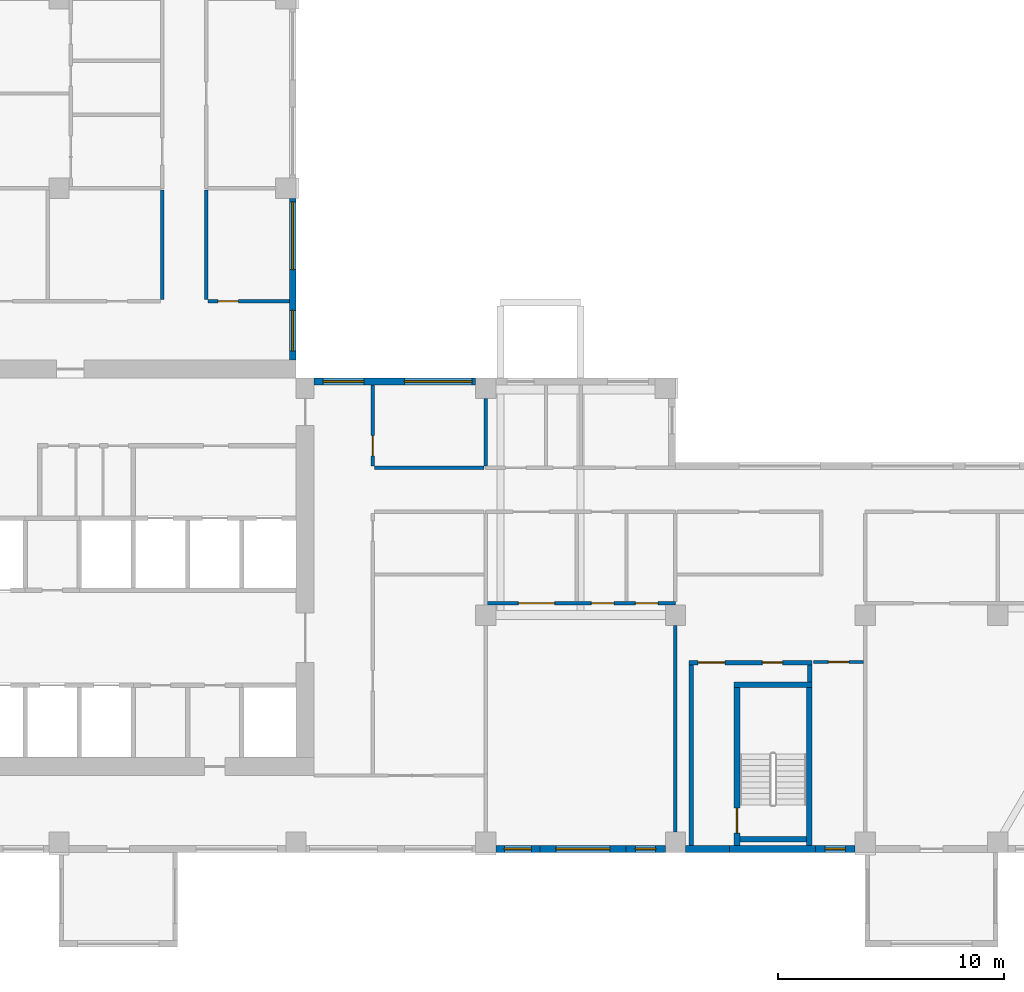
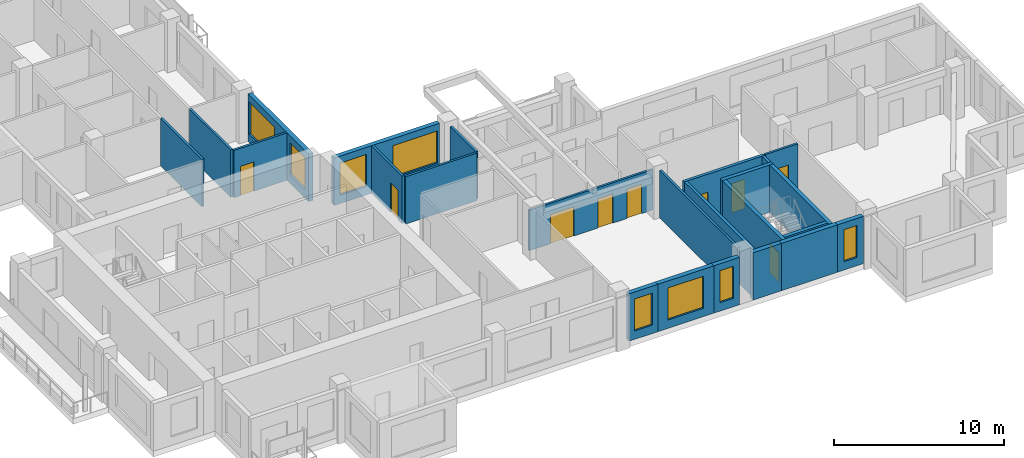
# One storey, part 4 of 12: 24 walls, 9 doors, 8 windows, 17 openings.
"""IFC4 building model written with IfcOpenShell, lengths in metres."""

from ifc_helpers import new_model, si_unit, direction, frame, frame_2d, origin, place, context, subcontext, project, spatial, rectangle, extrude, source, transform, mapped, material, layer, layer_set, type_object, element, fill, save


model = new_model("IFC4")

# Units and contexts
model_context = context("Model", 3, precision=1e-05, world=origin(), true_north=direction((0.0, 1.0)))
body_context = subcontext(model_context, "Body", "Model", "MODEL_VIEW")
ifc_project = project(units=[si_unit("LENGTHUNIT", "METRE"), si_unit("AREAUNIT", "SQUARE_METRE"), si_unit("VOLUMEUNIT", "CUBIC_METRE"), si_unit("PLANEANGLEUNIT", "RADIAN"), si_unit("MASSUNIT", "GRAM", prefix="KILO")], contexts=[model_context])

# Site, building, storey
site_placement = place(None, origin())
site = spatial("IfcSite", under=ifc_project, at=site_placement, CompositionType="ELEMENT")
building_placement = place(site_placement, origin())
building = spatial("IfcBuilding", under=site, at=building_placement, Name="Aurelian Terraces", CompositionType="ELEMENT")
storey_placement = place(building_placement, frame((0.0, 0.0, 200.6)))
storey = spatial("IfcBuildingStorey", under=building, at=storey_placement, Name="L44", CompositionType="ELEMENT", Elevation=200.6)

# Wall, openings, windows
ifc_material_1 = material(Name="Terracotta rainscreen cladding", Category="masonry")
ifc_layer_1 = layer(ifc_material_1, 0.3)
ifc_layer_set_1 = layer_set([ifc_layer_1], Name="EW-300")
wall_type_1 = type_object("IfcWallType", Name="EW-300", PredefinedType="STANDARD", material=ifc_layer_set_1)
shared_shape_1 = source(origin(), body_context, "Body", "SweptSolid", [
    extrude(rectangle(XDim=7.15, YDim=0.3, at=frame_2d((3.575, 0.0))), origin(), (0.0, 0.0, 1.0), 3.4),
])
wall_1_placement = place(storey_placement, frame((28.95, 20.85, 0.0), z_axis=(0.0, 0.0, 1.0), x_axis=(-1.0, 0.0, 0.0)))
wall_1 = element("IfcWall", 1, at=wall_1_placement, inside=storey, type_object=wall_type_1, Name="External wall L44 F07.18", PredefinedType="STANDARD", context=body_context, shape_type="MappedRepresentation", body=[
    mapped(shared_shape_1, transform((0.0, 0.0, 0.0), scale=1.0)),
])
shared_shape_2 = source(origin(), body_context, "Body", "SweptSolid", [
    extrude(rectangle(XDim=3.0, YDim=2.3, at=frame_2d((1.5, 1.15))), frame((0.0, 0.16, 0.0), z_axis=(0.0, -1.0, 0.0), x_axis=(1.0, 0.0, 0.0)), (0.0, 0.0, 1.0), 0.32),
])
opening_1_placement = place(wall_1_placement, frame((0.15, 0.0, 0.6)))
opening_1 = element("IfcOpeningElement", 2, at=opening_1_placement, cuts=wall_1, Name="Opening W3023", PredefinedType="OPENING", context=body_context, shape_type="MappedRepresentation", body=[
    mapped(shared_shape_2, transform((0.0, 0.0, 0.0), scale=1.0)),
])
shared_shape_3 = source(origin(), body_context, "Body", "SweptSolid", [
    extrude(rectangle(XDim=1.8, YDim=2.3, at=frame_2d((0.9, 1.15))), frame((0.0, 0.16, 0.0), z_axis=(0.0, -1.0, 0.0), x_axis=(1.0, 0.0, 0.0)), (0.0, 0.0, 1.0), 0.32),
])
opening_2_placement = place(wall_1_placement, frame((4.95, 0.0, 0.6)))
opening_2 = element("IfcOpeningElement", 3, at=opening_2_placement, cuts=wall_1, Name="Opening W1823", PredefinedType="OPENING", context=body_context, shape_type="MappedRepresentation", body=[
    mapped(shared_shape_3, transform((0.0, 0.0, 0.0), scale=1.0)),
])
ifc_material_2 = material(Name="Clear glazing", Category="glass")
window_type_1 = type_object("IfcWindowType", Name="W-3000x2300", PartitioningType="SINGLE_PANEL", PredefinedType="WINDOW", material=ifc_material_2)
shared_shape_4 = source(origin(), body_context, "Body", "SweptSolid", [
    extrude(rectangle(XDim=3.0, YDim=2.3, at=frame_2d((1.5, 1.15))), frame((0.0, 0.03, 0.0), z_axis=(0.0, -1.0, 0.0), x_axis=(1.0, 0.0, 0.0)), (0.0, 0.0, 1.0), 0.06),
])
window_1_placement = place(opening_1_placement, origin())
window_1 = element("IfcWindow", 4, at=window_1_placement, inside=storey, type_object=window_type_1, Name="Window L44 L44-F07-18-0", OverallHeight=2.3, OverallWidth=3.0, PartitioningType="SINGLE_PANEL", PredefinedType="WINDOW", context=body_context, shape_type="MappedRepresentation", body=[
    mapped(shared_shape_4, transform((0.0, 0.0, 0.0), scale=1.0)),
])
fill(opening_1, window_1)
window_type_2 = type_object("IfcWindowType", Name="W-1800x2300", PartitioningType="SINGLE_PANEL", PredefinedType="WINDOW", material=ifc_material_2)
shared_shape_5 = source(origin(), body_context, "Body", "SweptSolid", [
    extrude(rectangle(XDim=1.8, YDim=2.3, at=frame_2d((0.9, 1.15))), frame((0.0, 0.03, 0.0), z_axis=(0.0, -1.0, 0.0), x_axis=(1.0, 0.0, 0.0)), (0.0, 0.0, 1.0), 0.06),
])
window_2_placement = place(opening_2_placement, origin())
window_2 = element("IfcWindow", 5, at=window_2_placement, inside=storey, type_object=window_type_2, Name="Window L44 L44-F07-18-1", OverallHeight=2.3, OverallWidth=1.8, PartitioningType="SINGLE_PANEL", PredefinedType="WINDOW", context=body_context, shape_type="MappedRepresentation", body=[
    mapped(shared_shape_5, transform((0.0, 0.0, 0.0), scale=1.0)),
])
fill(opening_2, window_2)

wall_2_placement = place(storey_placement, frame((20.85, 21.8, 0.0), z_axis=(0.0, 0.0, 1.0), x_axis=(0.0, 1.0, 0.0)))
wall_2 = element("IfcWall", 6, at=wall_2_placement, inside=storey, type_object=wall_type_1, Name="External wall L44 F08.19", PredefinedType="STANDARD", context=body_context, shape_type="MappedRepresentation", body=[
    mapped(shared_shape_1, transform((0.0, 0.0, 0.0), scale=1.0)),
])
opening_3_placement = place(wall_2_placement, frame((0.4, 0.0, 0.6)))
opening_3 = element("IfcOpeningElement", 7, at=opening_3_placement, cuts=wall_2, Name="Opening W1823", PredefinedType="OPENING", context=body_context, shape_type="MappedRepresentation", body=[
    mapped(shared_shape_3, transform((0.0, 0.0, 0.0), scale=1.0)),
])
opening_4_placement = place(wall_2_placement, frame((4.0, 0.0, 0.6)))
opening_4 = element("IfcOpeningElement", 8, at=opening_4_placement, cuts=wall_2, Name="Opening W3023", PredefinedType="OPENING", context=body_context, shape_type="MappedRepresentation", body=[
    mapped(shared_shape_2, transform((0.0, 0.0, 0.0), scale=1.0)),
])
window_3_placement = place(opening_4_placement, origin())
window_3 = element("IfcWindow", 9, at=window_3_placement, inside=storey, type_object=window_type_1, Name="Window L44 L44-F08-19-1", OverallHeight=2.3, OverallWidth=3.0, PartitioningType="SINGLE_PANEL", PredefinedType="WINDOW", context=body_context, shape_type="MappedRepresentation", body=[
    mapped(shared_shape_4, transform((0.0, 0.0, 0.0), scale=1.0)),
])
fill(opening_4, window_3)
window_4_placement = place(opening_3_placement, origin())
window_4 = element("IfcWindow", 10, at=window_4_placement, inside=storey, type_object=window_type_2, Name="Window L44 L44-F08-19-0", OverallHeight=2.3, OverallWidth=1.8, PartitioningType="SINGLE_PANEL", PredefinedType="WINDOW", context=body_context, shape_type="MappedRepresentation", body=[
    mapped(shared_shape_5, transform((0.0, 0.0, 0.0), scale=1.0)),
])
fill(opening_3, window_4)

# Wall, opening, window
shared_shape_6 = source(origin(), body_context, "Body", "SweptSolid", [
    extrude(rectangle(XDim=1.95, YDim=0.3, at=frame_2d((0.975, 0.0))), origin(), (0.0, 0.0, 1.0), 3.4),
])
wall_3_placement = place(storey_placement, frame((29.85, 0.15, 0.0), z_axis=(0.0, 0.0, 1.0), x_axis=(1.0, 0.0, 0.0)))
wall_3 = element("IfcWall", 11, at=wall_3_placement, inside=storey, type_object=wall_type_1, Name="External wall L44 F01.5", PredefinedType="STANDARD", context=body_context, shape_type="MappedRepresentation", body=[
    mapped(shared_shape_6, transform((0.0, 0.0, 0.0), scale=1.0)),
])
shared_shape_7 = source(origin(), body_context, "Body", "SweptSolid", [
    extrude(rectangle(XDim=1.2, YDim=2.3, at=frame_2d((0.6, 1.15))), frame((0.0, 0.16, 0.0), z_axis=(0.0, -1.0, 0.0), x_axis=(1.0, 0.0, 0.0)), (0.0, 0.0, 1.0), 0.32),
])
opening_5_placement = place(wall_3_placement, frame((0.375, 0.0, 0.6)))
opening_5 = element("IfcOpeningElement", 12, at=opening_5_placement, cuts=wall_3, Name="Opening W1223", PredefinedType="OPENING", context=body_context, shape_type="MappedRepresentation", body=[
    mapped(shared_shape_7, transform((0.0, 0.0, 0.0), scale=1.0)),
])
window_type_3 = type_object("IfcWindowType", Name="W-1200x2300", PartitioningType="SINGLE_PANEL", PredefinedType="WINDOW", material=ifc_material_2)
shared_shape_8 = source(origin(), body_context, "Body", "SweptSolid", [
    extrude(rectangle(XDim=1.2, YDim=2.3, at=frame_2d((0.6, 1.15))), frame((0.0, 0.03, 0.0), z_axis=(0.0, -1.0, 0.0), x_axis=(1.0, 0.0, 0.0)), (0.0, 0.0, 1.0), 0.06),
])
window_5_placement = place(opening_5_placement, origin())
window_5 = element("IfcWindow", 13, at=window_5_placement, inside=storey, type_object=window_type_3, Name="Window L44 L44-F01-05-P0", OverallHeight=2.3, OverallWidth=1.2, PartitioningType="SINGLE_PANEL", PredefinedType="WINDOW", context=body_context, shape_type="MappedRepresentation", body=[
    mapped(shared_shape_8, transform((0.0, 0.0, 0.0), scale=1.0)),
])
fill(opening_5, window_5)

# Wall
wall_4_placement = place(storey_placement, frame((38.25, 0.15, 0.0), z_axis=(0.0, 0.0, 1.0), x_axis=(1.0, 0.0, 0.0)))
element("IfcWall", 14, at=wall_4_placement, inside=storey, type_object=wall_type_1, Name="External wall L44 F01.6", PredefinedType="STANDARD", context=body_context, shape_type="MappedRepresentation", body=[
    mapped(shared_shape_6, transform((0.0, 0.0, 0.0), scale=1.0)),
])

# Wall, opening, window
ifc_material_3 = material(Name="Concrete fc' 40 MPa", Category="concrete")
ifc_layer_2 = layer(ifc_material_3, 0.3)
ifc_layer_set_2 = layer_set([ifc_layer_2], Name="STAIR BAY WALL 300")
wall_type_2 = type_object("IfcWallType", Name="STAIR BAY WALL 300", PredefinedType="SOLIDWALL", material=ifc_layer_set_2)
shared_shape_9 = source(origin(), body_context, "Body", "SweptSolid", [
    extrude(rectangle(XDim=3.8, YDim=0.3, at=frame_2d((1.9, 0.0))), origin(), (0.0, 0.0, 1.0), 3.4),
])
wall_5_placement = place(storey_placement, frame((31.8, 0.15, 0.0), z_axis=(0.0, 0.0, 1.0), x_axis=(1.0, 0.0, 0.0)))
wall_5 = element("IfcWall", 15, at=wall_5_placement, inside=storey, type_object=wall_type_2, Name="Bearing wall L44 F01.5", PredefinedType="SOLIDWALL", context=body_context, shape_type="MappedRepresentation", body=[
    mapped(shared_shape_9, transform((0.0, 0.0, 0.0), scale=1.0)),
])
shared_shape_10 = source(origin(), body_context, "Body", "SweptSolid", [
    extrude(rectangle(XDim=2.4, YDim=2.3, at=frame_2d((1.2, 1.15))), frame((0.0, 0.16, 0.0), z_axis=(0.0, -1.0, 0.0), x_axis=(1.0, 0.0, 0.0)), (0.0, 0.0, 1.0), 0.32),
])
opening_6_placement = place(wall_5_placement, frame((0.7, 0.0, 0.6)))
opening_6 = element("IfcOpeningElement", 16, at=opening_6_placement, cuts=wall_5, Name="Opening W2423", PredefinedType="OPENING", context=body_context, shape_type="MappedRepresentation", body=[
    mapped(shared_shape_10, transform((0.0, 0.0, 0.0), scale=1.0)),
])
window_type_4 = type_object("IfcWindowType", Name="W-2400x2300", PartitioningType="SINGLE_PANEL", PredefinedType="WINDOW", material=ifc_material_2)
shared_shape_11 = source(origin(), body_context, "Body", "SweptSolid", [
    extrude(rectangle(XDim=2.4, YDim=2.3, at=frame_2d((1.2, 1.15))), frame((0.0, 0.03, 0.0), z_axis=(0.0, -1.0, 0.0), x_axis=(1.0, 0.0, 0.0)), (0.0, 0.0, 1.0), 0.06),
])
window_6_placement = place(opening_6_placement, origin())
window_6 = element("IfcWindow", 17, at=window_6_placement, inside=storey, type_object=window_type_4, Name="Window L44 L44-F01-05-P1", OverallHeight=2.3, OverallWidth=2.4, PartitioningType="SINGLE_PANEL", PredefinedType="WINDOW", context=body_context, shape_type="MappedRepresentation", body=[
    mapped(shared_shape_11, transform((0.0, 0.0, 0.0), scale=1.0)),
])
fill(opening_6, window_6)

# Wall
wall_6_placement = place(storey_placement, frame((40.2, 0.15, 0.0), z_axis=(0.0, 0.0, 1.0), x_axis=(1.0, 0.0, 0.0)))
element("IfcWall", 18, at=wall_6_placement, inside=storey, type_object=wall_type_2, Name="Stair bay wall L44 F01.6", PredefinedType="SOLIDWALL", context=body_context, shape_type="MappedRepresentation", body=[
    mapped(shared_shape_9, transform((0.0, 0.0, 0.0), scale=1.0)),
])

# Wall, opening, window
shared_shape_12 = source(origin(), body_context, "Body", "SweptSolid", [
    extrude(rectangle(XDim=1.75, YDim=0.3, at=frame_2d((0.875, 0.0))), origin(), (0.0, 0.0, 1.0), 3.4),
])
wall_7_placement = place(storey_placement, frame((35.6, 0.15, 0.0), z_axis=(0.0, 0.0, 1.0), x_axis=(1.0, 0.0, 0.0)))
wall_7 = element("IfcWall", 19, at=wall_7_placement, inside=storey, type_object=wall_type_1, Name="External wall L44 F01.5", PredefinedType="STANDARD", context=body_context, shape_type="MappedRepresentation", body=[
    mapped(shared_shape_12, transform((0.0, 0.0, 0.0), scale=1.0)),
])
shared_shape_13 = source(origin(), body_context, "Body", "SweptSolid", [
    extrude(rectangle(XDim=0.9, YDim=2.3, at=frame_2d((0.45, 1.15))), frame((0.0, 0.16, 0.0), z_axis=(0.0, -1.0, 0.0), x_axis=(1.0, 0.0, 0.0)), (0.0, 0.0, 1.0), 0.32),
])
opening_7_placement = place(wall_7_placement, frame((0.425, 0.0, 0.6)))
opening_7 = element("IfcOpeningElement", 20, at=opening_7_placement, cuts=wall_7, Name="Opening W0923", PredefinedType="OPENING", context=body_context, shape_type="MappedRepresentation", body=[
    mapped(shared_shape_13, transform((0.0, 0.0, 0.0), scale=1.0)),
])
window_type_5 = type_object("IfcWindowType", Name="W-900x2300", PartitioningType="SINGLE_PANEL", PredefinedType="WINDOW", material=ifc_material_2)
shared_shape_14 = source(origin(), body_context, "Body", "SweptSolid", [
    extrude(rectangle(XDim=0.9, YDim=2.3, at=frame_2d((0.45, 1.15))), frame((0.0, 0.03, 0.0), z_axis=(0.0, -1.0, 0.0), x_axis=(1.0, 0.0, 0.0)), (0.0, 0.0, 1.0), 0.06),
])
window_7_placement = place(opening_7_placement, origin())
window_7 = element("IfcWindow", 21, at=window_7_placement, inside=storey, type_object=window_type_5, Name="Window L44 L44-F01-05-P2", OverallHeight=2.3, OverallWidth=0.9, PartitioningType="SINGLE_PANEL", PredefinedType="WINDOW", context=body_context, shape_type="MappedRepresentation", body=[
    mapped(shared_shape_14, transform((0.0, 0.0, 0.0), scale=1.0)),
])
fill(opening_7, window_7)

wall_8_placement = place(storey_placement, frame((44.0, 0.15, 0.0), z_axis=(0.0, 0.0, 1.0), x_axis=(1.0, 0.0, 0.0)))
wall_8 = element("IfcWall", 22, at=wall_8_placement, inside=storey, type_object=wall_type_1, Name="External wall L44 F01.6", PredefinedType="STANDARD", context=body_context, shape_type="MappedRepresentation", body=[
    mapped(shared_shape_12, transform((0.0, 0.0, 0.0), scale=1.0)),
])
opening_8_placement = place(wall_8_placement, frame((0.425, 0.0, 0.6)))
opening_8 = element("IfcOpeningElement", 23, at=opening_8_placement, cuts=wall_8, Name="Opening W0923", PredefinedType="OPENING", context=body_context, shape_type="MappedRepresentation", body=[
    mapped(shared_shape_13, transform((0.0, 0.0, 0.0), scale=1.0)),
])
window_8_placement = place(opening_8_placement, origin())
window_8 = element("IfcWindow", 24, at=window_8_placement, inside=storey, type_object=window_type_5, Name="Window L44 L44-F01-06-P2", OverallHeight=2.3, OverallWidth=0.9, PartitioningType="SINGLE_PANEL", PredefinedType="WINDOW", context=body_context, shape_type="MappedRepresentation", body=[
    mapped(shared_shape_14, transform((0.0, 0.0, 0.0), scale=1.0)),
])
fill(opening_8, window_8)

# Wall, opening, door
ifc_layer_3 = layer(ifc_material_3, 0.25)
ifc_layer_set_3 = layer_set([ifc_layer_3], Name="Stair enclosure wall 250")
wall_type_3 = type_object("IfcWallType", Name="Stair enclosure wall 250", PredefinedType="SOLIDWALL", material=ifc_layer_set_3)
shared_shape_15 = source(origin(), body_context, "Body", "SweptSolid", [
    extrude(rectangle(XDim=7.0, YDim=0.25, at=frame_2d((3.5, 0.0))), origin(), (0.0, 0.0, 1.0), 3.4),
])
wall_9_placement = place(storey_placement, frame((40.525, 0.3, 0.0), z_axis=(0.0, 0.0, 1.0), x_axis=(0.0, 1.0, 0.0)))
wall_9 = element("IfcWall", 25, at=wall_9_placement, inside=storey, type_object=wall_type_3, Name="L44 core wall ST-S2-W", PredefinedType="SOLIDWALL", context=body_context, shape_type="MappedRepresentation", body=[
    mapped(shared_shape_15, transform((0.0, 0.0, 0.0), scale=1.0)),
])
shared_shape_16 = source(origin(), body_context, "Body", "SweptSolid", [
    extrude(rectangle(XDim=1.1, YDim=2.1, at=frame_2d((0.55, 1.05))), frame((0.0, 0.135, 0.0), z_axis=(0.0, -1.0, 0.0), x_axis=(1.0, 0.0, 0.0)), (0.0, 0.0, 1.0), 0.27),
])
opening_9_placement = place(wall_9_placement, frame((0.55, 0.0, 0.0)))
opening_9 = element("IfcOpeningElement", 26, at=opening_9_placement, cuts=wall_9, Name="Opening 64717", PredefinedType="OPENING", context=body_context, shape_type="MappedRepresentation", body=[
    mapped(shared_shape_16, transform((0.0, 0.0, 0.0), scale=1.0)),
])
ifc_material_4 = material(Name="Steel door leaf", Category="steel")
door_type_1 = type_object("IfcDoorType", Name="Core fire door 1100x2100", OperationType="SINGLE_SWING_LEFT", PredefinedType="DOOR", material=ifc_material_4)
shared_shape_17 = source(origin(), body_context, "Body", "SweptSolid", [
    extrude(rectangle(XDim=1.1, YDim=2.1, at=frame_2d((0.55, 1.05))), frame((0.0, 0.025, 0.0), z_axis=(0.0, -1.0, 0.0), x_axis=(1.0, 0.0, 0.0)), (0.0, 0.0, 1.0), 0.05),
])
door_1_placement = place(opening_9_placement, origin())
door_1 = element("IfcDoor", 27, at=door_1_placement, inside=storey, type_object=door_type_1, Name="Stair door 64717", OperationType="SINGLE_SWING_LEFT", OverallHeight=2.1, OverallWidth=1.1, PredefinedType="DOOR", context=body_context, shape_type="MappedRepresentation", body=[
    mapped(shared_shape_17, transform((0.0, 0.0, 0.0), scale=1.0)),
])
fill(opening_9, door_1)

# Walls
wall_10_placement = place(storey_placement, frame((43.725, 0.3, 0.0), z_axis=(0.0, 0.0, 1.0), x_axis=(0.0, 1.0, 0.0)))
element("IfcWall", 28, at=wall_10_placement, inside=storey, type_object=wall_type_3, Name="L44 core wall ST-S2-E", PredefinedType="SOLIDWALL", context=body_context, shape_type="MappedRepresentation", body=[
    mapped(shared_shape_15, transform((0.0, 0.0, 0.0), scale=1.0)),
])
shared_shape_18 = source(origin(), body_context, "Body", "SweptSolid", [
    extrude(rectangle(XDim=3.45, YDim=0.25, at=frame_2d((1.725, 0.0))), origin(), (0.0, 0.0, 1.0), 3.4),
])
wall_11_placement = place(storey_placement, frame((40.4, 7.425, 0.0), z_axis=(0.0, 0.0, 1.0), x_axis=(1.0, 0.0, 0.0)))
element("IfcWall", 29, at=wall_11_placement, inside=storey, type_object=wall_type_3, Name="L44 core wall ST-S2-N", PredefinedType="SOLIDWALL", context=body_context, shape_type="MappedRepresentation", body=[
    mapped(shared_shape_18, transform((0.0, 0.0, 0.0), scale=1.0)),
])
shared_shape_19 = source(origin(), body_context, "Body", "SweptSolid", [
    extrude(rectangle(XDim=2.95, YDim=0.25, at=frame_2d((1.475, 0.0))), origin(), (0.0, 0.0, 1.0), 3.4),
])
wall_12_placement = place(storey_placement, frame((40.65, 0.575, 0.0), z_axis=(0.0, 0.0, 1.0), x_axis=(1.0, 0.0, 0.0)))
element("IfcWall", 30, at=wall_12_placement, inside=storey, type_object=wall_type_3, Name="L44 core wall ST-S2-SS", PredefinedType="SOLIDWALL", context=body_context, shape_type="MappedRepresentation", body=[
    mapped(shared_shape_19, transform((0.0, 0.0, 0.0), scale=1.0)),
])

# Wall, openings, doors
ifc_material_5 = material(Name="Gypsum board on steel studs", Category="steel")
ifc_layer_4 = layer(ifc_material_5, 0.2)
ifc_layer_set_4 = layer_set([ifc_layer_4], Name="Core partition 200")
wall_type_4 = type_object("IfcWallType", Name="Core partition 200", PredefinedType="PARTITIONING", material=ifc_layer_set_4)
shared_shape_20 = source(origin(), body_context, "Body", "SweptSolid", [
    extrude(rectangle(XDim=5.45, YDim=0.2, at=frame_2d((2.725, 0.0))), origin(), (0.0, 0.0, 1.0), 3.4),
])
wall_13_placement = place(storey_placement, frame((38.4, 8.4, 0.0), z_axis=(0.0, 0.0, 1.0), x_axis=(1.0, 0.0, 0.0)))
wall_13 = element("IfcWall", 31, at=wall_13_placement, inside=storey, type_object=wall_type_4, Name="L44 core wall ST-S2-BN", PredefinedType="PARTITIONING", context=body_context, shape_type="MappedRepresentation", body=[
    mapped(shared_shape_20, transform((0.0, 0.0, 0.0), scale=1.0)),
])
shared_shape_21 = source(origin(), body_context, "Body", "SweptSolid", [
    extrude(rectangle(XDim=1.2, YDim=2.1, at=frame_2d((0.6, 1.05))), frame((0.0, 0.11, 0.0), z_axis=(0.0, -1.0, 0.0), x_axis=(1.0, 0.0, 0.0)), (0.0, 0.0, 1.0), 0.22),
])
opening_10_placement = place(wall_13_placement, frame((0.4, 0.0, 0.0)))
opening_10 = element("IfcOpeningElement", 32, at=opening_10_placement, cuts=wall_13, Name="Opening 64718", PredefinedType="OPENING", context=body_context, shape_type="MappedRepresentation", body=[
    mapped(shared_shape_21, transform((0.0, 0.0, 0.0), scale=1.0)),
])
shared_shape_22 = source(origin(), body_context, "Body", "SweptSolid", [
    extrude(rectangle(XDim=0.9, YDim=2.1, at=frame_2d((0.45, 1.05))), frame((0.0, 0.11, 0.0), z_axis=(0.0, -1.0, 0.0), x_axis=(1.0, 0.0, 0.0)), (0.0, 0.0, 1.0), 0.22),
])
opening_11_placement = place(wall_13_placement, frame((3.25, 0.0, 0.0)))
opening_11 = element("IfcOpeningElement", 33, at=opening_11_placement, cuts=wall_13, Name="Opening 64719", PredefinedType="OPENING", context=body_context, shape_type="MappedRepresentation", body=[
    mapped(shared_shape_22, transform((0.0, 0.0, 0.0), scale=1.0)),
])
door_type_2 = type_object("IfcDoorType", Name="Core riser door 900x2100", OperationType="SINGLE_SWING_LEFT", PredefinedType="DOOR", material=ifc_material_4)
shared_shape_23 = source(origin(), body_context, "Body", "SweptSolid", [
    extrude(rectangle(XDim=0.9, YDim=2.1, at=frame_2d((0.45, 1.05))), frame((0.0, 0.025, 0.0), z_axis=(0.0, -1.0, 0.0), x_axis=(1.0, 0.0, 0.0)), (0.0, 0.0, 1.0), 0.05),
])
door_2_placement = place(opening_11_placement, origin())
door_2 = element("IfcDoor", 34, at=door_2_placement, inside=storey, type_object=door_type_2, Name="Riser door 64719", OperationType="SINGLE_SWING_LEFT", OverallHeight=2.1, OverallWidth=0.9, PredefinedType="DOOR", context=body_context, shape_type="MappedRepresentation", body=[
    mapped(shared_shape_23, transform((0.0, 0.0, 0.0), scale=1.0)),
])
fill(opening_11, door_2)
door_type_3 = type_object("IfcDoorType", Name="Core fire door 1200x2100 right", OperationType="SINGLE_SWING_RIGHT", PredefinedType="DOOR", material=ifc_material_4)
shared_shape_24 = source(origin(), body_context, "Body", "SweptSolid", [
    extrude(rectangle(XDim=1.2, YDim=2.1, at=frame_2d((0.6, 1.05))), frame((0.0, 0.025, 0.0), z_axis=(0.0, -1.0, 0.0), x_axis=(1.0, 0.0, 0.0)), (0.0, 0.0, 1.0), 0.05),
])
door_3_placement = place(opening_10_placement, origin())
door_3 = element("IfcDoor", 35, at=door_3_placement, inside=storey, type_object=door_type_3, Name="Vestibule door 64718", OperationType="SINGLE_SWING_RIGHT", OverallHeight=2.1, OverallWidth=1.2, PredefinedType="DOOR", context=body_context, shape_type="MappedRepresentation", body=[
    mapped(shared_shape_24, transform((0.0, 0.0, 0.0), scale=1.0)),
])
fill(opening_10, door_3)

# Walls
shared_shape_25 = source(origin(), body_context, "Body", "SweptSolid", [
    extrude(rectangle(XDim=0.75, YDim=0.2, at=frame_2d((0.375, 0.0))), origin(), (0.0, 0.0, 1.0), 3.4),
])
wall_14_placement = place(storey_placement, frame((43.75, 7.55, 0.0), z_axis=(0.0, 0.0, 1.0), x_axis=(0.0, 1.0, 0.0)))
element("IfcWall", 36, at=wall_14_placement, inside=storey, type_object=wall_type_4, Name="L44 core wall ST-S2-RE", PredefinedType="PARTITIONING", context=body_context, shape_type="MappedRepresentation", body=[
    mapped(shared_shape_25, transform((0.0, 0.0, 0.0), scale=1.0)),
])
shared_shape_26 = source(origin(), body_context, "Body", "SweptSolid", [
    extrude(rectangle(XDim=8.0, YDim=0.2, at=frame_2d((4.0, 0.0))), origin(), (0.0, 0.0, 1.0), 3.4),
])
wall_15_placement = place(storey_placement, frame((38.5, 0.3, 0.0), z_axis=(0.0, 0.0, 1.0), x_axis=(0.0, 1.0, 0.0)))
element("IfcWall", 37, at=wall_15_placement, inside=storey, type_object=wall_type_4, Name="L44 core wall ST-S2-VW", PredefinedType="PARTITIONING", context=body_context, shape_type="MappedRepresentation", body=[
    mapped(shared_shape_26, transform((0.0, 0.0, 0.0), scale=1.0)),
])
ifc_layer_5 = layer(ifc_material_5, 0.15)
ifc_layer_set_5 = layer_set([ifc_layer_5], Name="Fire partition 150")
wall_type_5 = type_object("IfcWallType", Name="Fire partition 150", PredefinedType="PARTITIONING", material=ifc_layer_set_5)
shared_shape_27 = source(origin(), body_context, "Body", "SweptSolid", [
    extrude(rectangle(XDim=9.152, YDim=0.15, at=frame_2d((4.576, 0.0))), origin(), (0.0, 0.0, 1.0), 3.4),
])
wall_16_placement = place(storey_placement, frame((37.8, 0.899, 0.0), z_axis=(0.0, 0.0, 1.0), x_axis=(0.0, 1.0, 0.0)))
element("IfcWall", 38, at=wall_16_placement, inside=storey, type_object=wall_type_5, Name="Party wall", PredefinedType="PARTITIONING", context=body_context, shape_type="MappedRepresentation", body=[
    mapped(shared_shape_27, transform((0.0, 0.0, 0.0), scale=1.0)),
])

# Wall, opening, door
ifc_layer_6 = layer(ifc_material_5, 0.15)
ifc_layer_set_6 = layer_set([ifc_layer_6], Name="Partition 150")
wall_type_6 = type_object("IfcWallType", Name="Partition 150", PredefinedType="PARTITIONING", material=ifc_layer_set_6)
shared_shape_28 = source(origin(), body_context, "Body", "SweptSolid", [
    extrude(rectangle(XDim=3.6, YDim=0.15, at=frame_2d((1.8, 0.0))), origin(), (0.0, 0.0, 1.0), 3.4),
])
wall_17_placement = place(storey_placement, frame((24.4, 20.7, 0.0), z_axis=(0.0, 0.0, 1.0), x_axis=(0.0, -1.0, 0.0)))
wall_17 = element("IfcWall", 39, at=wall_17_placement, inside=storey, type_object=wall_type_6, Name="Partition", PredefinedType="PARTITIONING", context=body_context, shape_type="MappedRepresentation", body=[
    mapped(shared_shape_28, transform((0.0, 0.0, 0.0), scale=1.0)),
])
shared_shape_29 = source(origin(), body_context, "Body", "SweptSolid", [
    extrude(rectangle(XDim=0.9, YDim=2.1, at=frame_2d((0.45, 1.05))), frame((0.0, 0.085, 0.0), z_axis=(0.0, -1.0, 0.0), x_axis=(1.0, 0.0, 0.0)), (0.0, 0.0, 1.0), 0.17),
])
opening_12_placement = place(wall_17_placement, frame((2.25, 0.0, 0.0)))
opening_12 = element("IfcOpeningElement", 40, at=opening_12_placement, cuts=wall_17, Name="Opening 744003", PredefinedType="OPENING", context=body_context, shape_type="MappedRepresentation", body=[
    mapped(shared_shape_29, transform((0.0, 0.0, 0.0), scale=1.0)),
])
ifc_material_6 = material(Name="Timber door leaf", Category="wood")
door_type_4 = type_object("IfcDoorType", Name="Room door 900x2100 right", OperationType="SINGLE_SWING_RIGHT", PredefinedType="DOOR", material=ifc_material_6)
door_4_placement = place(opening_12_placement, origin())
door_4 = element("IfcDoor", 41, at=door_4_placement, inside=storey, type_object=door_type_4, Name="Door 744003", OperationType="SINGLE_SWING_RIGHT", OverallHeight=2.1, OverallWidth=0.9, PredefinedType="DOOR", context=body_context, shape_type="MappedRepresentation", body=[
    mapped(shared_shape_23, transform((0.0, 0.0, 0.0), scale=1.0)),
])
fill(opening_12, door_4)

wall_18_placement = place(storey_placement, frame((17.1, 24.4, 0.0), z_axis=(0.0, 0.0, 1.0), x_axis=(1.0, 0.0, 0.0)))
wall_18 = element("IfcWall", 42, at=wall_18_placement, inside=storey, type_object=wall_type_6, Name="Partition", PredefinedType="PARTITIONING", context=body_context, shape_type="MappedRepresentation", body=[
    mapped(shared_shape_28, transform((0.0, 0.0, 0.0), scale=1.0)),
])
opening_13_placement = place(wall_18_placement, frame((0.45, 0.0, 0.0)))
opening_13 = element("IfcOpeningElement", 43, at=opening_13_placement, cuts=wall_18, Name="Opening 744021", PredefinedType="OPENING", context=body_context, shape_type="MappedRepresentation", body=[
    mapped(shared_shape_29, transform((0.0, 0.0, 0.0), scale=1.0)),
])
door_5_placement = place(opening_13_placement, origin())
door_5 = element("IfcDoor", 44, at=door_5_placement, inside=storey, type_object=door_type_4, Name="Door 744021", OperationType="SINGLE_SWING_RIGHT", OverallHeight=2.1, OverallWidth=0.9, PredefinedType="DOOR", context=body_context, shape_type="MappedRepresentation", body=[
    mapped(shared_shape_23, transform((0.0, 0.0, 0.0), scale=1.0)),
])
fill(opening_13, door_5)

# Wall
shared_shape_30 = source(origin(), body_context, "Body", "SweptSolid", [
    extrude(rectangle(XDim=3.001, YDim=0.15, at=frame_2d((1.5005, 0.0))), origin(), (0.0, 0.0, 1.0), 3.4),
])
wall_19_placement = place(storey_placement, frame((29.4, 17.1, 0.0), z_axis=(0.0, 0.0, 1.0), x_axis=(0.0, 1.0, 0.0)))
element("IfcWall", 45, at=wall_19_placement, inside=storey, type_object=wall_type_6, Name="Partition", PredefinedType="PARTITIONING", context=body_context, shape_type="MappedRepresentation", body=[
    mapped(shared_shape_30, transform((0.0, 0.0, 0.0), scale=1.0)),
])

# Wall, opening, door
shared_shape_31 = source(origin(), body_context, "Body", "SweptSolid", [
    extrude(rectangle(XDim=2.2, YDim=0.15, at=frame_2d((1.1, 0.0))), origin(), (0.0, 0.0, 1.0), 3.4),
])
wall_20_placement = place(storey_placement, frame((46.125, 8.425, 0.0), z_axis=(0.0, 0.0, 1.0), x_axis=(-1.0, 0.0, 0.0)))
wall_20 = element("IfcWall", 46, at=wall_20_placement, inside=storey, type_object=wall_type_6, Name="Partition", PredefinedType="PARTITIONING", context=body_context, shape_type="MappedRepresentation", body=[
    mapped(shared_shape_31, transform((0.0, 0.0, 0.0), scale=1.0)),
])
opening_14_placement = place(wall_20_placement, frame((0.65, 0.0, 0.0)))
opening_14 = element("IfcOpeningElement", 47, at=opening_14_placement, cuts=wall_20, Name="Opening 744006", PredefinedType="OPENING", context=body_context, shape_type="MappedRepresentation", body=[
    mapped(shared_shape_29, transform((0.0, 0.0, 0.0), scale=1.0)),
])
door_type_5 = type_object("IfcDoorType", Name="Room door 900x2100 left", OperationType="SINGLE_SWING_LEFT", PredefinedType="DOOR", material=ifc_material_6)
door_6_placement = place(opening_14_placement, origin())
door_6 = element("IfcDoor", 48, at=door_6_placement, inside=storey, type_object=door_type_5, Name="Door 744006", OperationType="SINGLE_SWING_LEFT", OverallHeight=2.1, OverallWidth=0.9, PredefinedType="DOOR", context=body_context, shape_type="MappedRepresentation", body=[
    mapped(shared_shape_23, transform((0.0, 0.0, 0.0), scale=1.0)),
])
fill(opening_14, door_6)

# Wall, openings, doors
shared_shape_32 = source(origin(), body_context, "Body", "SweptSolid", [
    extrude(rectangle(XDim=8.4, YDim=0.15, at=frame_2d((4.2, 0.0))), origin(), (0.0, 0.0, 1.0), 2.9),
])
wall_21_placement = place(storey_placement, frame((37.8, 11.025, 0.0), z_axis=(0.0, 0.0, 1.0), x_axis=(-1.0, 0.0, 0.0)))
wall_21 = element("IfcWall", 49, at=wall_21_placement, inside=storey, type_object=wall_type_6, Name="Partition", PredefinedType="PARTITIONING", context=body_context, shape_type="MappedRepresentation", body=[
    mapped(shared_shape_32, transform((0.0, 0.0, 0.0), scale=1.0)),
])
shared_shape_33 = source(origin(), body_context, "Body", "SweptSolid", [
    extrude(rectangle(XDim=1.6, YDim=2.1, at=frame_2d((0.8, 1.05))), frame((0.0, 0.085, 0.0), z_axis=(0.0, -1.0, 0.0), x_axis=(1.0, 0.0, 0.0)), (0.0, 0.0, 1.0), 0.17),
])
opening_15_placement = place(wall_21_placement, frame((5.3513, 0.0, 0.0)))
opening_15 = element("IfcOpeningElement", 50, at=opening_15_placement, cuts=wall_21, Name="Opening 744008", PredefinedType="OPENING", context=body_context, shape_type="MappedRepresentation", body=[
    mapped(shared_shape_33, transform((0.0, 0.0, 0.0), scale=1.0)),
])
shared_shape_34 = source(origin(), body_context, "Body", "SweptSolid", [
    extrude(rectangle(XDim=1.0, YDim=2.1, at=frame_2d((0.5, 1.05))), frame((0.0, 0.085, 0.0), z_axis=(0.0, -1.0, 0.0), x_axis=(1.0, 0.0, 0.0)), (0.0, 0.0, 1.0), 0.17),
])
opening_16_placement = place(wall_21_placement, frame((2.7224, 0.0, 0.0)))
opening_16 = element("IfcOpeningElement", 51, at=opening_16_placement, cuts=wall_21, Name="Opening 744009", PredefinedType="OPENING", context=body_context, shape_type="MappedRepresentation", body=[
    mapped(shared_shape_34, transform((0.0, 0.0, 0.0), scale=1.0)),
])
opening_17_placement = place(wall_21_placement, frame((0.7711, 0.0, 0.0)))
opening_17 = element("IfcOpeningElement", 52, at=opening_17_placement, cuts=wall_21, Name="Opening 744010", PredefinedType="OPENING", context=body_context, shape_type="MappedRepresentation", body=[
    mapped(shared_shape_34, transform((0.0, 0.0, 0.0), scale=1.0)),
])
door_type_6 = type_object("IfcDoorType", Name="Room door 1000x2100 right", OperationType="SINGLE_SWING_RIGHT", PredefinedType="DOOR", material=ifc_material_6)
shared_shape_35 = source(origin(), body_context, "Body", "SweptSolid", [
    extrude(rectangle(XDim=1.0, YDim=2.1, at=frame_2d((0.5, 1.05))), frame((0.0, 0.025, 0.0), z_axis=(0.0, -1.0, 0.0), x_axis=(1.0, 0.0, 0.0)), (0.0, 0.0, 1.0), 0.05),
])
door_7_placement = place(opening_16_placement, origin())
door_7 = element("IfcDoor", 53, at=door_7_placement, inside=storey, type_object=door_type_6, Name="Door 744009", OperationType="SINGLE_SWING_RIGHT", OverallHeight=2.1, OverallWidth=1.0, PredefinedType="DOOR", context=body_context, shape_type="MappedRepresentation", body=[
    mapped(shared_shape_35, transform((0.0, 0.0, 0.0), scale=1.0)),
])
fill(opening_16, door_7)
door_type_7 = type_object("IfcDoorType", Name="Room door 1000x2100 left", OperationType="SINGLE_SWING_LEFT", PredefinedType="DOOR", material=ifc_material_6)
door_8_placement = place(opening_17_placement, origin())
door_8 = element("IfcDoor", 54, at=door_8_placement, inside=storey, type_object=door_type_7, Name="Door 744010", OperationType="SINGLE_SWING_LEFT", OverallHeight=2.1, OverallWidth=1.0, PredefinedType="DOOR", context=body_context, shape_type="MappedRepresentation", body=[
    mapped(shared_shape_35, transform((0.0, 0.0, 0.0), scale=1.0)),
])
fill(opening_17, door_8)
door_type_8 = type_object("IfcDoorType", Name="Room door 1600x2100 left", OperationType="SINGLE_SWING_LEFT", PredefinedType="DOOR", material=ifc_material_6)
shared_shape_36 = source(origin(), body_context, "Body", "SweptSolid", [
    extrude(rectangle(XDim=1.6, YDim=2.1, at=frame_2d((0.8, 1.05))), frame((0.0, 0.025, 0.0), z_axis=(0.0, -1.0, 0.0), x_axis=(1.0, 0.0, 0.0)), (0.0, 0.0, 1.0), 0.05),
])
door_9_placement = place(opening_15_placement, origin())
door_9 = element("IfcDoor", 55, at=door_9_placement, inside=storey, type_object=door_type_8, Name="Door 744008", OperationType="SINGLE_SWING_LEFT", OverallHeight=2.1, OverallWidth=1.6, PredefinedType="DOOR", context=body_context, shape_type="MappedRepresentation", body=[
    mapped(shared_shape_36, transform((0.0, 0.0, 0.0), scale=1.0)),
])
fill(opening_15, door_9)

# Walls
shared_shape_37 = source(origin(), body_context, "Body", "SweptSolid", [
    extrude(rectangle(XDim=4.85, YDim=0.15, at=frame_2d((2.425, 0.0))), origin(), (0.0, 0.0, 1.0), 3.4),
])
for number, where, z_axis, x_axis, name in (
    (56, (24.475, 17.025, 0.0), (0.0, 0.0, 1.0), (1.0, 0.0, 0.0), "Corridor wall"),
    (57, (15.075, 24.475, 0.0), (0.0, 0.0, 1.0), (0.0, 1.0, 0.0), "Corridor wall"),
    (58, (17.025, 29.325, 0.0), (0.0, 0.0, 1.0), (0.0, -1.0, 0.0), "Corridor wall"),
):
    element("IfcWall", number, at=place(storey_placement, frame(where, z_axis=z_axis, x_axis=x_axis)), inside=storey, type_object=wall_type_5, Name=name, PredefinedType="PARTITIONING", context=body_context, shape_type="MappedRepresentation", body=[
        mapped(shared_shape_37, transform((0.0, 0.0, 0.0), scale=1.0)),
    ])

save(model, "model.ifc")
